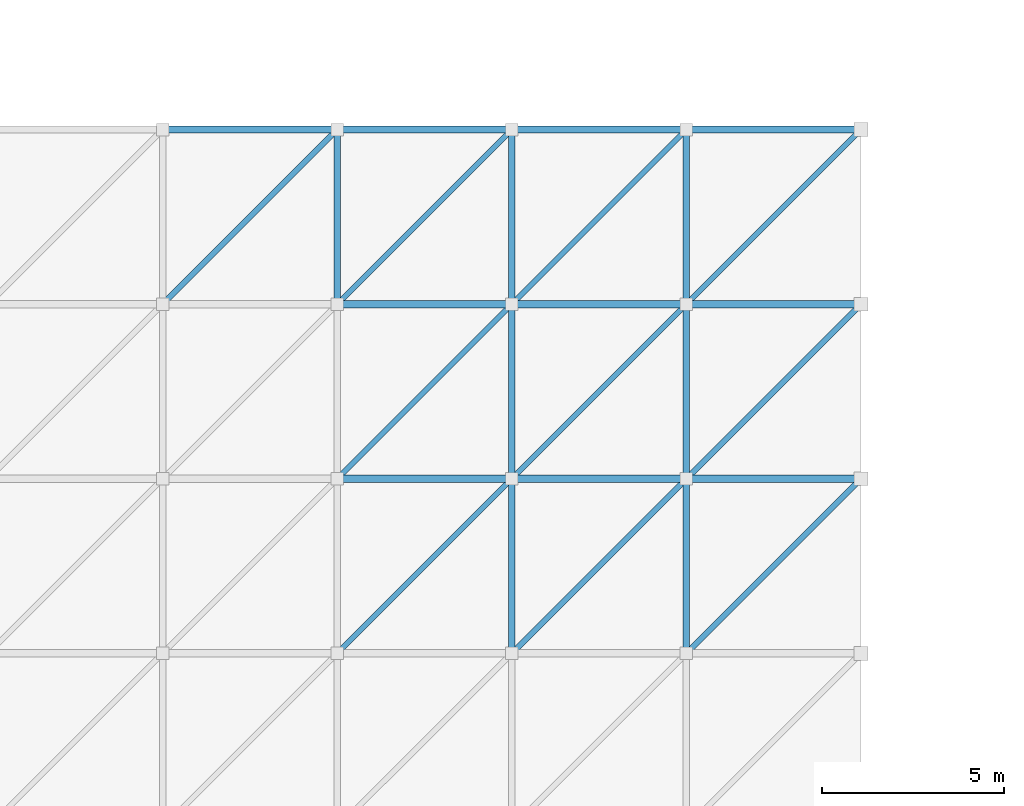
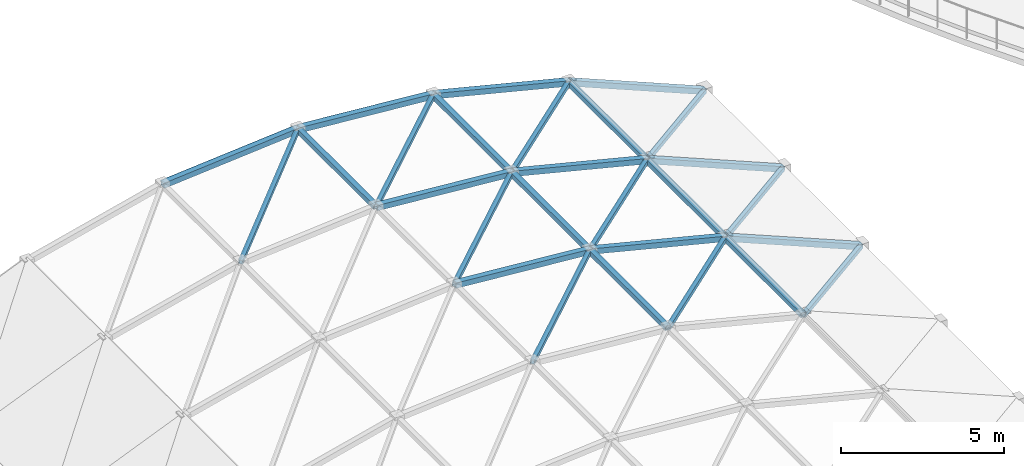
# One storey, part 17 of 116: 27 members.
"""IFC4 building model written with IfcOpenShell, lengths in metres."""

from ifc_helpers import new_model, si_unit, direction, frame, origin, origin_2d, place, context, subcontext, project, spatial, hollow_rectangle, extrude, material, material_profile, profile_set, type_object, element, save


model = new_model("IFC4")

# Units and contexts
model_context = context("Model", 3, precision=1e-05, world=origin(), true_north=direction((0.0, 1.0)))
body_context = subcontext(model_context, "Body", "Model", "MODEL_VIEW")
ifc_project = project(units=[si_unit("LENGTHUNIT", "METRE"), si_unit("AREAUNIT", "SQUARE_METRE"), si_unit("VOLUMEUNIT", "CUBIC_METRE"), si_unit("PLANEANGLEUNIT", "RADIAN"), si_unit("MASSUNIT", "GRAM", prefix="KILO")], contexts=[model_context])

# Site, building, storey
site_placement = place(None, origin())
site = spatial("IfcSite", under=ifc_project, at=site_placement, CompositionType="ELEMENT")
building_placement = place(site_placement, origin())
building = spatial("IfcBuilding", under=site, at=building_placement, Name="Almandine Court Research Institute", CompositionType="ELEMENT")
storey_placement = place(building_placement, frame((0.0, 0.0, 14.35009765625)))
storey = spatial("IfcBuildingStorey", under=building, at=storey_placement, Name="L03", CompositionType="ELEMENT", Elevation=14.35009765625)

# Members
ifc_material = material(Name="Steel ASTM A500 Grade C", Category="steel")
ifc_material_profile_1 = material_profile(ifc_material, hollow_rectangle(XDim=0.199951171875, YDim=0.199951171875, WallThickness=0.008056640625, at=origin_2d()), Name="HSS 200x200x8")
ifc_profile_set_1 = profile_set([ifc_material_profile_1], Name="Steel ASTM A500 Grade C")
member_type_1 = type_object("IfcMemberType", Name="Mem-GS-AR2", PredefinedType="CHORD", material=ifc_profile_set_1)
member_1_placement = place(storey_placement, frame((20.39990234375, 25.199951171875, 3.599853515625), z_axis=(0.996547505835, 0.0, -0.083024506106), x_axis=(0.0, 1.0, 0.0)))
element("IfcMember", 1, at=member_1_placement, inside=storey, type_object=member_type_1, Name="Lecture Vaulted Gridshell Arch Rib 4-3", PredefinedType="CHORD", context=body_context, shape_type="SweptSolid", body=[
    extrude(hollow_rectangle(XDim=0.199951171875, YDim=0.199951171875, WallThickness=0.008056640625, at=origin_2d()), origin(), (0.0, 0.0, 1.0), 4.816650390625),
])
member_2_placement = place(storey_placement, frame((25.199951171875, 25.199951171875, 3.199951171875), z_axis=(0.970145402643, 0.0, -0.24252401475), x_axis=(0.0, 1.0, 0.0)))
element("IfcMember", 2, at=member_2_placement, inside=storey, type_object=member_type_1, Name="Lecture Vaulted Gridshell Arch Rib 4-4", PredefinedType="CHORD", context=body_context, shape_type="SweptSolid", body=[
    extrude(hollow_rectangle(XDim=0.199951171875, YDim=0.199951171875, WallThickness=0.008056640625, at=origin_2d()), origin(), (0.0, 0.0, 1.0), 4.94775390625),
])
member_3_placement = place(storey_placement, frame((30.0, 25.199951171875, 2.0), z_axis=(0.923078312116, 0.0, -0.384612050905), x_axis=(0.0, 1.0, 0.0)))
element("IfcMember", 3, at=member_3_placement, inside=storey, type_object=member_type_1, Name="Lecture Vaulted Gridshell Arch Rib 4-5", PredefinedType="CHORD", context=body_context, shape_type="SweptSolid", body=[
    extrude(hollow_rectangle(XDim=0.199951171875, YDim=0.199951171875, WallThickness=0.008056640625, at=origin_2d()), origin(), (0.0, 0.0, 1.0), 5.199951171875),
])
member_4_placement = place(storey_placement, frame((20.39990234375, 30.0, 3.599853515625), z_axis=(0.996547505835, 0.0, -0.083024506106), x_axis=(0.0, 1.0, 0.0)))
element("IfcMember", 4, at=member_4_placement, inside=storey, type_object=member_type_1, Name="Lecture Vaulted Gridshell Arch Rib 5-3", PredefinedType="CHORD", context=body_context, shape_type="SweptSolid", body=[
    extrude(hollow_rectangle(XDim=0.199951171875, YDim=0.199951171875, WallThickness=0.008056640625, at=origin_2d()), origin(), (0.0, 0.0, 1.0), 4.816650390625),
])
member_5_placement = place(storey_placement, frame((25.199951171875, 30.0, 3.199951171875), z_axis=(0.970145402643, 0.0, -0.24252401475), x_axis=(0.0, 1.0, 0.0)))
element("IfcMember", 5, at=member_5_placement, inside=storey, type_object=member_type_1, Name="Lecture Vaulted Gridshell Arch Rib 5-4", PredefinedType="CHORD", context=body_context, shape_type="SweptSolid", body=[
    extrude(hollow_rectangle(XDim=0.199951171875, YDim=0.199951171875, WallThickness=0.008056640625, at=origin_2d()), origin(), (0.0, 0.0, 1.0), 4.94775390625),
])
member_6_placement = place(storey_placement, frame((30.0, 30.0, 2.0), z_axis=(0.923078312116, 0.0, -0.384612050905), x_axis=(0.0, 1.0, 0.0)))
element("IfcMember", 6, at=member_6_placement, inside=storey, type_object=member_type_1, Name="Lecture Vaulted Gridshell Arch Rib 5-5", PredefinedType="CHORD", context=body_context, shape_type="SweptSolid", body=[
    extrude(hollow_rectangle(XDim=0.199951171875, YDim=0.199951171875, WallThickness=0.008056640625, at=origin_2d()), origin(), (0.0, 0.0, 1.0), 5.199951171875),
])
member_7_placement = place(storey_placement, frame((15.60009765625, 34.800048828125, 3.199951171875), z_axis=(0.996547156423, 0.0, 0.083028700011), x_axis=(0.0, 1.0, 0.0)))
element("IfcMember", 7, at=member_7_placement, inside=storey, type_object=member_type_1, Name="Lecture Vaulted Gridshell Arch Rib 6-2", PredefinedType="CHORD", context=body_context, shape_type="SweptSolid", body=[
    extrude(hollow_rectangle(XDim=0.199951171875, YDim=0.199951171875, WallThickness=0.008056640625, at=origin_2d()), origin(), (0.0, 0.0, 1.0), 4.81640625),
])
member_8_placement = place(storey_placement, frame((20.39990234375, 34.800048828125, 3.599853515625), z_axis=(0.996547505835, 0.0, -0.083024506106), x_axis=(0.0, 1.0, 0.0)))
element("IfcMember", 8, at=member_8_placement, inside=storey, type_object=member_type_1, Name="Lecture Vaulted Gridshell Arch Rib 6-3", PredefinedType="CHORD", context=body_context, shape_type="SweptSolid", body=[
    extrude(hollow_rectangle(XDim=0.199951171875, YDim=0.199951171875, WallThickness=0.008056640625, at=origin_2d()), origin(), (0.0, 0.0, 1.0), 4.816650390625),
])
member_9_placement = place(storey_placement, frame((25.199951171875, 34.800048828125, 3.199951171875), z_axis=(0.970145402643, 0.0, -0.24252401475), x_axis=(0.0, 1.0, 0.0)))
element("IfcMember", 9, at=member_9_placement, inside=storey, type_object=member_type_1, Name="Lecture Vaulted Gridshell Arch Rib 6-4", PredefinedType="CHORD", context=body_context, shape_type="SweptSolid", body=[
    extrude(hollow_rectangle(XDim=0.199951171875, YDim=0.199951171875, WallThickness=0.008056640625, at=origin_2d()), origin(), (0.0, 0.0, 1.0), 4.94775390625),
])
member_10_placement = place(storey_placement, frame((30.0, 34.800048828125, 2.0), z_axis=(0.923078312116, 0.0, -0.384612050905), x_axis=(0.0, 1.0, 0.0)))
element("IfcMember", 10, at=member_10_placement, inside=storey, type_object=member_type_1, Name="Lecture Vaulted Gridshell Arch Rib 6-5", PredefinedType="CHORD", context=body_context, shape_type="SweptSolid", body=[
    extrude(hollow_rectangle(XDim=0.199951171875, YDim=0.199951171875, WallThickness=0.008056640625, at=origin_2d()), origin(), (0.0, 0.0, 1.0), 5.199951171875),
])
ifc_material_profile_2 = material_profile(ifc_material, hollow_rectangle(XDim=0.14990234375, YDim=0.14990234375, WallThickness=0.008056640625, at=origin_2d()), Name="HSS 150x150x8")
ifc_profile_set_2 = profile_set([ifc_material_profile_2], Name="Steel ASTM A500 Grade C")
member_type_2 = type_object("IfcMemberType", Name="Mem-GS-BR2", PredefinedType="BRACE", material=ifc_profile_set_2)
member_11_placement = place(storey_placement, frame((15.60009765625, 30.0, 3.199951171875), z_axis=(0.705864959898, 0.705900863507, 0.058810112122), x_axis=(-0.707124763888, 0.707088798028, 0.0)))
element("IfcMember", 11, at=member_11_placement, inside=storey, type_object=member_type_2, Name="Lecture Vaulted Gridshell Diagonal 2-5", PredefinedType="BRACE", context=body_context, shape_type="SweptSolid", body=[
    extrude(hollow_rectangle(XDim=0.14990234375, YDim=0.14990234375, WallThickness=0.008056640625, at=origin_2d()), origin(), (0.0, 0.0, 1.0), 6.7998046875),
])
for number, where, z_axis, x_axis, name in (
    (12, (20.39990234375, 20.39990234375, 3.599853515625), (0.705882974016, 0.705882974016, -0.05880862171), (-0.707106781187, 0.707106781187, 0.0), "Lecture Vaulted Gridshell Diagonal 3-3"),
    (13, (20.39990234375, 25.199951171875, 3.599853515625), (0.705882974016, 0.705882974016, -0.05880862171), (-0.707106781187, 0.707106781187, 0.0), "Lecture Vaulted Gridshell Diagonal 3-4"),
    (14, (20.39990234375, 30.0, 3.599853515625), (0.705882974016, 0.705882974016, -0.05880862171), (-0.707106781187, 0.707106781187, 0.0), "Lecture Vaulted Gridshell Diagonal 3-5"),
):
    element("IfcMember", number, at=place(storey_placement, frame(where, z_axis=z_axis, x_axis=x_axis)), inside=storey, type_object=member_type_2, Name=name, PredefinedType="BRACE", context=body_context, shape_type="SweptSolid", body=[
        extrude(hollow_rectangle(XDim=0.14990234375, YDim=0.14990234375, WallThickness=0.008056640625, at=origin_2d()), origin(), (0.0, 0.0, 1.0), 6.800048828125),
    ])
for number, where, z_axis, x_axis, name in (
    (15, (25.199951171875, 20.39990234375, 3.199951171875), (0.696311697005, 0.696311697005, -0.17406907028), (-0.707106781187, 0.707106781187, 0.0), "Lecture Vaulted Gridshell Diagonal 4-3"),
    (16, (25.199951171875, 25.199951171875, 3.199951171875), (0.696311697005, 0.696311697005, -0.17406907028), (-0.707106781187, 0.707106781187, 0.0), "Lecture Vaulted Gridshell Diagonal 4-4"),
    (17, (25.199951171875, 30.0, 3.199951171875), (0.696311697005, 0.696311697005, -0.17406907028), (-0.707106781187, 0.707106781187, 0.0), "Lecture Vaulted Gridshell Diagonal 4-5"),
):
    element("IfcMember", number, at=place(storey_placement, frame(where, z_axis=z_axis, x_axis=x_axis)), inside=storey, type_object=member_type_2, Name=name, PredefinedType="BRACE", context=body_context, shape_type="SweptSolid", body=[
        extrude(hollow_rectangle(XDim=0.14990234375, YDim=0.14990234375, WallThickness=0.008056640625, at=origin_2d()), origin(), (0.0, 0.0, 1.0), 6.8935546875),
    ])
for number, where, z_axis, x_axis, name in (
    (18, (30.0, 20.39990234375, 2.0), (0.678280653829, 0.678280653829, -0.282614064197), (-0.707106781187, 0.707106781187, 0.0), "Lecture Vaulted Gridshell Diagonal 5-3"),
    (19, (30.0, 25.199951171875, 2.0), (0.678280653829, 0.678280653829, -0.282614064197), (-0.707106781187, 0.707106781187, 0.0), "Lecture Vaulted Gridshell Diagonal 5-4"),
    (20, (30.0, 30.0, 2.0), (0.678280653829, 0.678280653829, -0.282614064197), (-0.707106781187, 0.707106781187, 0.0), "Lecture Vaulted Gridshell Diagonal 5-5"),
):
    element("IfcMember", number, at=place(storey_placement, frame(where, z_axis=z_axis, x_axis=x_axis)), inside=storey, type_object=member_type_2, Name=name, PredefinedType="BRACE", context=body_context, shape_type="SweptSolid", body=[
        extrude(hollow_rectangle(XDim=0.14990234375, YDim=0.14990234375, WallThickness=0.008056640625, at=origin_2d()), origin(), (0.0, 0.0, 1.0), 7.076904296875),
    ])
ifc_material_profile_3 = material_profile(ifc_material, hollow_rectangle(XDim=0.179931640625, YDim=0.179931640625, WallThickness=0.008056640625, at=origin_2d()), Name="HSS 180x180x8")
ifc_profile_set_3 = profile_set([ifc_material_profile_3], Name="Steel ASTM A500 Grade C")
member_type_3 = type_object("IfcMemberType", Name="Mem-GS-ST2", PredefinedType="STRUT", material=ifc_profile_set_3)
for number, where, z_axis, x_axis, name in (
    (21, (20.39990234375, 30.0, 3.599853515625), (0.0, 1.0, 0.0), (-1.0, 0.0, 0.0), "Lecture Vaulted Gridshell Strut 3-5"),
    (22, (25.199951171875, 20.39990234375, 3.199951171875), (0.0, 1.0, 0.0), (-1.0, 0.0, 0.0), "Lecture Vaulted Gridshell Strut 4-3"),
    (23, (25.199951171875, 25.199951171875, 3.199951171875), (0.0, 1.0, 0.0), (-1.0, 0.0, 0.0), "Lecture Vaulted Gridshell Strut 4-4"),
    (24, (25.199951171875, 30.0, 3.199951171875), (0.0, 1.0, 0.0), (-1.0, 0.0, 0.0), "Lecture Vaulted Gridshell Strut 4-5"),
    (25, (30.0, 20.39990234375, 2.0), (0.0, 1.0, 0.0), (-1.0, 0.0, 0.0), "Lecture Vaulted Gridshell Strut 5-3"),
    (26, (30.0, 25.199951171875, 2.0), (0.0, 1.0, 0.0), (-1.0, 0.0, 0.0), "Lecture Vaulted Gridshell Strut 5-4"),
    (27, (30.0, 30.0, 2.0), (0.0, 1.0, 0.0), (-1.0, 0.0, 0.0), "Lecture Vaulted Gridshell Strut 5-5"),
):
    element("IfcMember", number, at=place(storey_placement, frame(where, z_axis=z_axis, x_axis=x_axis)), inside=storey, type_object=member_type_3, Name=name, PredefinedType="STRUT", context=body_context, shape_type="SweptSolid", body=[
        extrude(hollow_rectangle(XDim=0.179931640625, YDim=0.179931640625, WallThickness=0.008056640625, at=origin_2d()), origin(), (0.0, 0.0, 1.0), 4.800048828125),
    ])

save(model, "model.ifc")
